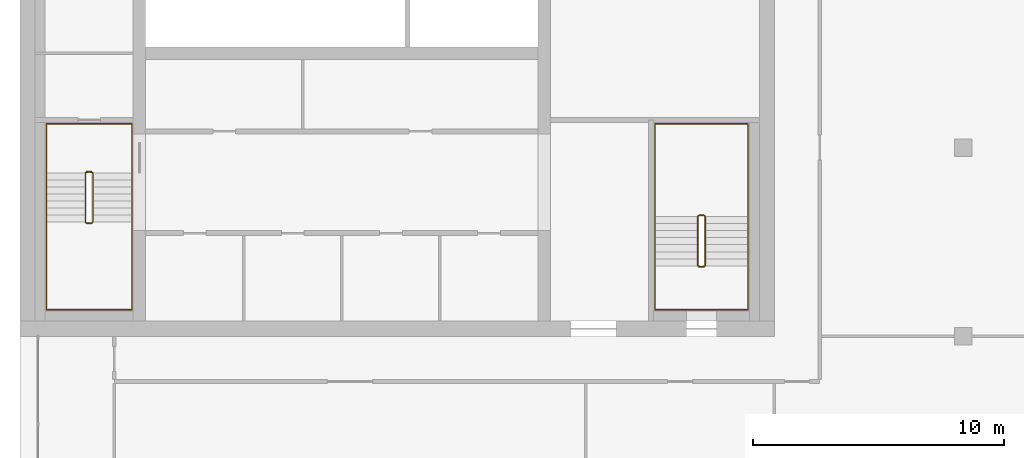
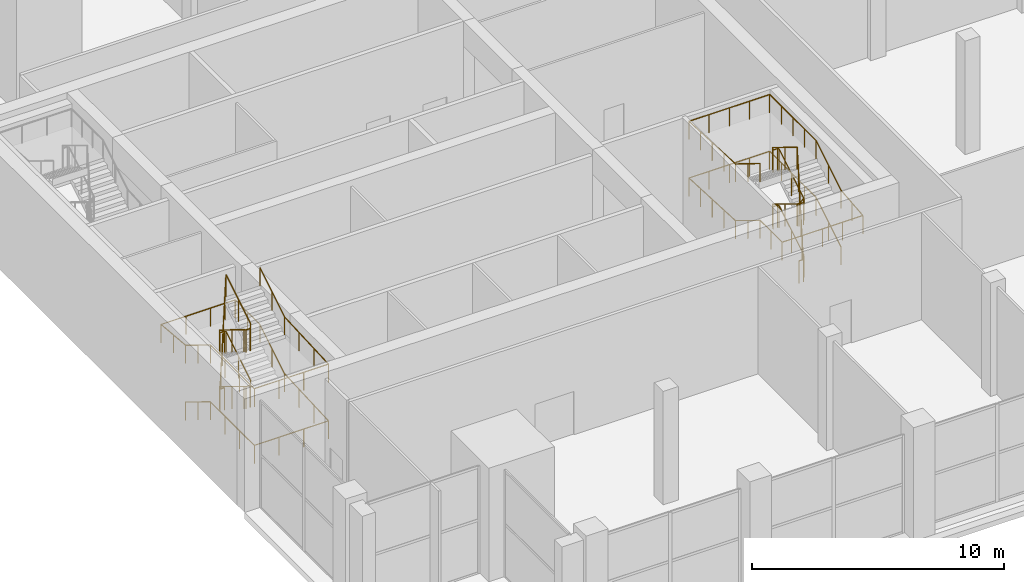
# One storey, part 14 of 15: 4 railings.
"""IFC4 building model written with IfcOpenShell, lengths in metres."""

from ifc_helpers import new_model, si_unit, direction, frame, origin, origin_2d, place, context, subcontext, project, spatial, circle, extrude, material, type_object, element, save


model = new_model("IFC4")

# Units and contexts
model_context = context("Model", 3, precision=1e-05, world=origin(), true_north=direction((0.0, 1.0)))
body_context = subcontext(model_context, "Body", "Model", "MODEL_VIEW")
ifc_project = project(units=[si_unit("LENGTHUNIT", "METRE"), si_unit("AREAUNIT", "SQUARE_METRE"), si_unit("VOLUMEUNIT", "CUBIC_METRE"), si_unit("PLANEANGLEUNIT", "RADIAN"), si_unit("MASSUNIT", "GRAM", prefix="KILO")], contexts=[model_context])

# Site, building, storey
site_placement = place(None, origin())
site = spatial("IfcSite", under=ifc_project, at=site_placement, CompositionType="ELEMENT")
building_placement = place(site_placement, origin())
building = spatial("IfcBuilding", under=site, at=building_placement, Name="Tamorin Gate", CompositionType="ELEMENT")
storey_placement = place(building_placement, frame((0.0, 0.0, 292.199951171875)))
storey = spatial("IfcBuildingStorey", under=building, at=storey_placement, Name="L73", CompositionType="ELEMENT", Elevation=292.199951171875)

# Railings
ifc_material_1 = material(Name="Painted steel balustrade", Category="steel")
railing_type_1 = type_object("IfcRailingType", Name="Stair guard 1100", PredefinedType="GUARDRAIL", material=ifc_material_1)
railing_1_placement = place(storey_placement, frame((32.60009765625, 66.5, 0.171875)))
element("IfcRailing", 1, at=railing_1_placement, inside=storey, type_object=railing_type_1, Name="L73 ST1 stair guard 1", PredefinedType="GUARDRAIL", context=body_context, shape_type="SweptSolid", body=[
    extrude(circle(Radius=0.02392578125, at=origin_2d()), frame((0.0, 0.0, 1.076171875), z_axis=(0.0, -0.852240978134, 0.523149419562), x_axis=(1.0, 0.0, 0.0)), (0.0, 0.0, 1.0), 2.2998046875),
    extrude(circle(Radius=0.02392578125, at=origin_2d()), frame((0.0, -1.9599609375, 2.279296875), z_axis=(0.705375805398, -0.708833529934, 0.0), x_axis=(0.708833529934, 0.705375805398, 0.0)), (0.0, 0.0, 1.0), 0.070556640625),
    extrude(circle(Radius=0.02392578125, at=origin_2d()), frame((0.0498046875, -2.010009765625, 2.279296875), z_axis=(1.0, 0.0, 0.0), x_axis=(0.0, 1.0, 0.0)), (0.0, 0.0, 1.0), 0.2001953125),
    extrude(circle(Radius=0.02392578125, at=origin_2d()), frame((0.25, -2.010009765625, 2.279296875), z_axis=(0.268036860282, 0.26935076646, 0.924989949209), x_axis=(-0.708833529934, 0.705375805398, 0.0)), (0.0, 0.0, 1.0), 0.185791015625),
    extrude(circle(Radius=0.02392578125, at=origin_2d()), frame((0.2998046875, -1.9599609375, 2.451171875), z_axis=(0.0, 0.852240978134, 0.523149419562), x_axis=(-1.0, 0.0, 0.0)), (0.0, 0.0, 1.0), 2.2998046875),
    extrude(circle(Radius=0.02392578125, at=origin_2d()), frame((0.2998046875, 0.0, 3.654296875), z_axis=(-0.98054382908, 0.196300278283, 0.0), x_axis=(-0.196300278283, -0.98054382908, 0.0)), (0.0, 0.0, 1.0), 0.2548828125),
    extrude(circle(Radius=0.02392578125, at=origin_2d()), frame((0.0498046875, 0.050048828125, 3.654296875), z_axis=(1.0, 0.0, 0.0), x_axis=(0.0, 1.0, 0.0)), (0.0, 0.0, 1.0), 0.2001953125),
    extrude(circle(Radius=0.02392578125, at=origin_2d()), frame((0.25, 0.050048828125, 3.654296875), z_axis=(-0.81305262559, -0.162769324459, 0.558973680093), x_axis=(0.196300278283, -0.98054382908, 0.0)), (0.0, 0.0, 1.0), 0.307373046875),
    extrude(circle(Radius=0.02392578125, at=origin_2d()), frame((0.0, 0.0, 3.826171875), z_axis=(0.0, -0.852240978134, 0.523149419562), x_axis=(1.0, 0.0, 0.0)), (0.0, 0.0, 1.0), 2.2998046875),
    extrude(circle(Radius=0.02392578125, at=origin_2d()), frame((0.0, -1.9599609375, 5.029296875), z_axis=(0.705375805398, -0.708833529934, 0.0), x_axis=(0.708833529934, 0.705375805398, 0.0)), (0.0, 0.0, 1.0), 0.070556640625),
    extrude(circle(Radius=0.02392578125, at=origin_2d()), frame((0.0498046875, -2.010009765625, 5.029296875), z_axis=(1.0, 0.0, 0.0), x_axis=(0.0, 1.0, 0.0)), (0.0, 0.0, 1.0), 0.2001953125),
    extrude(circle(Radius=0.02392578125, at=origin_2d()), frame((0.25, -2.010009765625, 5.029296875), z_axis=(0.268036860282, 0.26935076646, 0.924989949209), x_axis=(-0.708833529934, 0.705375805398, 0.0)), (0.0, 0.0, 1.0), 0.185791015625),
    extrude(circle(Radius=0.02392578125, at=origin_2d()), frame((0.2998046875, -1.9599609375, 5.201171875), z_axis=(0.0, 0.852240978134, 0.523149419562), x_axis=(-1.0, 0.0, 0.0)), (0.0, 0.0, 1.0), 2.2998046875),
    extrude(circle(Radius=0.02392578125, at=origin_2d()), frame((0.2998046875, 0.0, 6.404296875), z_axis=(-0.045405784895, 0.009090025296, -0.998927267692), x_axis=(-0.196300278283, -0.98054382908, 0.0)), (0.0, 0.0, 1.0), 5.505859375),
    extrude(circle(Radius=0.02392578125, at=origin_2d()), frame((0.0498046875, 0.050048828125, 0.904296875), z_axis=(1.0, 0.0, 0.0), x_axis=(0.0, 1.0, 0.0)), (0.0, 0.0, 1.0), 0.2001953125),
    extrude(circle(Radius=0.02099609375, at=origin_2d()), origin(), (0.0, 0.0, 1.0), 1.052001953125),
    extrude(circle(Radius=0.02099609375, at=origin_2d()), frame((0.0, -0.97998046875, 0.6015625)), (0.0, 0.0, 1.0), 1.052001953125),
    extrude(circle(Radius=0.02099609375, at=origin_2d()), frame((0.0, -1.9599609375, 1.203125)), (0.0, 0.0, 1.0), 1.052001953125),
    extrude(circle(Radius=0.02099609375, at=origin_2d()), frame((0.0498046875, -2.010009765625, 1.203125)), (0.0, 0.0, 1.0), 1.052001953125),
    extrude(circle(Radius=0.02099609375, at=origin_2d()), frame((0.25, -2.010009765625, 1.203125)), (0.0, 0.0, 1.0), 1.052001953125),
    extrude(circle(Radius=0.02099609375, at=origin_2d()), frame((0.2998046875, -1.9599609375, 1.375)), (0.0, 0.0, 1.0), 1.052001953125),
    extrude(circle(Radius=0.02099609375, at=origin_2d()), frame((0.2998046875, -0.97998046875, 1.9765625)), (0.0, 0.0, 1.0), 1.052001953125),
    extrude(circle(Radius=0.02099609375, at=origin_2d()), frame((0.2998046875, 0.0, 2.578125)), (0.0, 0.0, 1.0), 1.052001953125),
    extrude(circle(Radius=0.02099609375, at=origin_2d()), frame((0.0498046875, 0.050048828125, 2.578125)), (0.0, 0.0, 1.0), 1.052001953125),
    extrude(circle(Radius=0.02099609375, at=origin_2d()), frame((0.25, 0.050048828125, 2.578125)), (0.0, 0.0, 1.0), 1.052001953125),
    extrude(circle(Radius=0.02099609375, at=origin_2d()), frame((0.0, 0.0, 2.75)), (0.0, 0.0, 1.0), 1.052001953125),
    extrude(circle(Radius=0.02099609375, at=origin_2d()), frame((0.0, -0.97998046875, 3.3515625)), (0.0, 0.0, 1.0), 1.052001953125),
    extrude(circle(Radius=0.02099609375, at=origin_2d()), frame((0.0, -1.9599609375, 3.953125)), (0.0, 0.0, 1.0), 1.052001953125),
    extrude(circle(Radius=0.02099609375, at=origin_2d()), frame((0.0498046875, -2.010009765625, 3.953125)), (0.0, 0.0, 1.0), 1.052001953125),
    extrude(circle(Radius=0.02099609375, at=origin_2d()), frame((0.25, -2.010009765625, 3.953125)), (0.0, 0.0, 1.0), 1.052001953125),
    extrude(circle(Radius=0.02099609375, at=origin_2d()), frame((0.2998046875, -1.9599609375, 4.125)), (0.0, 0.0, 1.0), 1.052001953125),
    extrude(circle(Radius=0.02099609375, at=origin_2d()), frame((0.2998046875, -0.97998046875, 4.7265625)), (0.0, 0.0, 1.0), 1.052001953125),
    extrude(circle(Radius=0.02099609375, at=origin_2d()), frame((0.2998046875, 0.0, 5.328125)), (0.0, 0.0, 1.0), 1.052001953125),
    extrude(circle(Radius=0.02099609375, at=origin_2d()), frame((0.249755859375, 0.010009765625, 4.22802734375)), (0.0, 0.0, 1.0), 1.052001953125),
    extrude(circle(Radius=0.02099609375, at=origin_2d()), frame((0.19970703125, 0.02001953125, 3.128173828125)), (0.0, 0.0, 1.0), 1.052001953125),
    extrude(circle(Radius=0.02099609375, at=origin_2d()), frame((0.14990234375, 0.030029296875, 2.028076171875)), (0.0, 0.0, 1.0), 1.052001953125),
    extrude(circle(Radius=0.02099609375, at=origin_2d()), frame((0.099853515625, 0.0400390625, 0.92822265625)), (0.0, 0.0, 1.0), 1.052001953125),
    extrude(circle(Radius=0.02099609375, at=origin_2d()), frame((0.0498046875, 0.050048828125, -0.171875)), (0.0, 0.0, 1.0), 1.052001953125),
    extrude(circle(Radius=0.02099609375, at=origin_2d()), frame((0.25, 0.050048828125, -0.171875)), (0.0, 0.0, 1.0), 1.052001953125),
])
railing_2_placement = place(storey_placement, frame((57.25, 62.800048828125, 0.171875)))
element("IfcRailing", 2, at=railing_2_placement, inside=storey, type_object=railing_type_1, Name="L73 ST3 stair guard 1", PredefinedType="GUARDRAIL", context=body_context, shape_type="SweptSolid", body=[
    extrude(circle(Radius=0.02392578125, at=origin_2d()), frame((0.0, 0.0, 1.076171875), z_axis=(0.0, 0.852240978134, 0.523149419562), x_axis=(-1.0, 0.0, 0.0)), (0.0, 0.0, 1.0), 2.2998046875),
    extrude(circle(Radius=0.02392578125, at=origin_2d()), frame((0.0, 1.9599609375, 2.279296875), z_axis=(-0.707106781187, 0.707106781187, 0.0), x_axis=(-0.707106781187, -0.707106781187, 0.0)), (0.0, 0.0, 1.0), 0.07080078125),
    extrude(circle(Radius=0.02392578125, at=origin_2d()), frame((-0.050048828125, 2.010009765625, 2.279296875), z_axis=(-1.0, 0.0, 0.0), x_axis=(0.0, -1.0, 0.0)), (0.0, 0.0, 1.0), 0.199951171875),
    extrude(circle(Radius=0.02392578125, at=origin_2d()), frame((-0.25, 2.010009765625, 2.279296875), z_axis=(-0.269255725606, -0.269255725606, 0.92466356501), x_axis=(0.707106781187, -0.707106781187, 0.0)), (0.0, 0.0, 1.0), 0.185791015625),
    extrude(circle(Radius=0.02392578125, at=origin_2d()), frame((-0.300048828125, 1.9599609375, 2.451171875), z_axis=(0.0, -0.852240978134, 0.523149419562), x_axis=(1.0, 0.0, 0.0)), (0.0, 0.0, 1.0), 2.2998046875),
    extrude(circle(Radius=0.02392578125, at=origin_2d()), frame((-0.300048828125, 0.0, 3.654296875), z_axis=(0.98054382908, -0.196300278283, 0.0), x_axis=(0.196300278283, 0.98054382908, 0.0)), (0.0, 0.0, 1.0), 0.2548828125),
    extrude(circle(Radius=0.02392578125, at=origin_2d()), frame((-0.050048828125, -0.050048828125, 3.654296875), z_axis=(-1.0, 0.0, 0.0), x_axis=(0.0, -1.0, 0.0)), (0.0, 0.0, 1.0), 0.199951171875),
    extrude(circle(Radius=0.02392578125, at=origin_2d()), frame((-0.25, -0.050048828125, 3.654296875), z_axis=(0.81305262559, 0.162769324459, 0.558973680093), x_axis=(-0.196300278283, 0.98054382908, 0.0)), (0.0, 0.0, 1.0), 0.307373046875),
    extrude(circle(Radius=0.02392578125, at=origin_2d()), frame((0.0, 0.0, 3.826171875), z_axis=(0.0, 0.852240978134, 0.523149419562), x_axis=(-1.0, 0.0, 0.0)), (0.0, 0.0, 1.0), 2.2998046875),
    extrude(circle(Radius=0.02392578125, at=origin_2d()), frame((0.0, 1.9599609375, 5.029296875), z_axis=(-0.707106781187, 0.707106781187, 0.0), x_axis=(-0.707106781187, -0.707106781187, 0.0)), (0.0, 0.0, 1.0), 0.07080078125),
    extrude(circle(Radius=0.02392578125, at=origin_2d()), frame((-0.050048828125, 2.010009765625, 5.029296875), z_axis=(-1.0, 0.0, 0.0), x_axis=(0.0, -1.0, 0.0)), (0.0, 0.0, 1.0), 0.199951171875),
    extrude(circle(Radius=0.02392578125, at=origin_2d()), frame((-0.25, 2.010009765625, 5.029296875), z_axis=(-0.269255725606, -0.269255725606, 0.92466356501), x_axis=(0.707106781187, -0.707106781187, 0.0)), (0.0, 0.0, 1.0), 0.185791015625),
    extrude(circle(Radius=0.02392578125, at=origin_2d()), frame((-0.300048828125, 1.9599609375, 5.201171875), z_axis=(0.0, -0.852240978134, 0.523149419562), x_axis=(1.0, 0.0, 0.0)), (0.0, 0.0, 1.0), 2.2998046875),
    extrude(circle(Radius=0.02392578125, at=origin_2d()), frame((-0.300048828125, 0.0, 6.404296875), z_axis=(0.045405784895, -0.009090025296, -0.998927267692), x_axis=(0.196300278283, 0.98054382908, 0.0)), (0.0, 0.0, 1.0), 5.505859375),
    extrude(circle(Radius=0.02392578125, at=origin_2d()), frame((-0.050048828125, -0.050048828125, 0.904296875), z_axis=(-1.0, 0.0, 0.0), x_axis=(0.0, -1.0, 0.0)), (0.0, 0.0, 1.0), 0.199951171875),
    extrude(circle(Radius=0.02099609375, at=origin_2d()), origin(), (0.0, 0.0, 1.0), 1.052001953125),
    extrude(circle(Radius=0.02099609375, at=origin_2d()), frame((0.0, 0.97998046875, 0.6015625)), (0.0, 0.0, 1.0), 1.052001953125),
    extrude(circle(Radius=0.02099609375, at=origin_2d()), frame((0.0, 1.9599609375, 1.203125)), (0.0, 0.0, 1.0), 1.052001953125),
    extrude(circle(Radius=0.02099609375, at=origin_2d()), frame((-0.050048828125, 2.010009765625, 1.203125)), (0.0, 0.0, 1.0), 1.052001953125),
    extrude(circle(Radius=0.02099609375, at=origin_2d()), frame((-0.25, 2.010009765625, 1.203125)), (0.0, 0.0, 1.0), 1.052001953125),
    extrude(circle(Radius=0.02099609375, at=origin_2d()), frame((-0.300048828125, 1.9599609375, 1.375)), (0.0, 0.0, 1.0), 1.052001953125),
    extrude(circle(Radius=0.02099609375, at=origin_2d()), frame((-0.300048828125, 0.97998046875, 1.9765625)), (0.0, 0.0, 1.0), 1.052001953125),
    extrude(circle(Radius=0.02099609375, at=origin_2d()), frame((-0.300048828125, 0.0, 2.578125)), (0.0, 0.0, 1.0), 1.052001953125),
    extrude(circle(Radius=0.02099609375, at=origin_2d()), frame((-0.050048828125, -0.050048828125, 2.578125)), (0.0, 0.0, 1.0), 1.052001953125),
    extrude(circle(Radius=0.02099609375, at=origin_2d()), frame((-0.25, -0.050048828125, 2.578125)), (0.0, 0.0, 1.0), 1.052001953125),
    extrude(circle(Radius=0.02099609375, at=origin_2d()), frame((0.0, 0.0, 2.75)), (0.0, 0.0, 1.0), 1.052001953125),
    extrude(circle(Radius=0.02099609375, at=origin_2d()), frame((0.0, 0.97998046875, 3.3515625)), (0.0, 0.0, 1.0), 1.052001953125),
    extrude(circle(Radius=0.02099609375, at=origin_2d()), frame((0.0, 1.9599609375, 3.953125)), (0.0, 0.0, 1.0), 1.052001953125),
    extrude(circle(Radius=0.02099609375, at=origin_2d()), frame((-0.050048828125, 2.010009765625, 3.953125)), (0.0, 0.0, 1.0), 1.052001953125),
    extrude(circle(Radius=0.02099609375, at=origin_2d()), frame((-0.25, 2.010009765625, 3.953125)), (0.0, 0.0, 1.0), 1.052001953125),
    extrude(circle(Radius=0.02099609375, at=origin_2d()), frame((-0.300048828125, 1.9599609375, 4.125)), (0.0, 0.0, 1.0), 1.052001953125),
    extrude(circle(Radius=0.02099609375, at=origin_2d()), frame((-0.300048828125, 0.97998046875, 4.7265625)), (0.0, 0.0, 1.0), 1.052001953125),
    extrude(circle(Radius=0.02099609375, at=origin_2d()), frame((-0.300048828125, 0.0, 5.328125)), (0.0, 0.0, 1.0), 1.052001953125),
    extrude(circle(Radius=0.02099609375, at=origin_2d()), frame((-0.25, -0.010009765625, 4.22802734375)), (0.0, 0.0, 1.0), 1.052001953125),
    extrude(circle(Radius=0.02099609375, at=origin_2d()), frame((-0.199951171875, -0.02001953125, 3.128173828125)), (0.0, 0.0, 1.0), 1.052001953125),
    extrude(circle(Radius=0.02099609375, at=origin_2d()), frame((-0.150146484375, -0.030029296875, 2.028076171875)), (0.0, 0.0, 1.0), 1.052001953125),
    extrude(circle(Radius=0.02099609375, at=origin_2d()), frame((-0.10009765625, -0.0400390625, 0.92822265625)), (0.0, 0.0, 1.0), 1.052001953125),
    extrude(circle(Radius=0.02099609375, at=origin_2d()), frame((-0.050048828125, -0.050048828125, -0.171875)), (0.0, 0.0, 1.0), 1.052001953125),
    extrude(circle(Radius=0.02099609375, at=origin_2d()), frame((-0.25, -0.050048828125, -0.171875)), (0.0, 0.0, 1.0), 1.052001953125),
])
ifc_material_2 = material(Name="Painted steel handrail", Category="steel")
railing_type_2 = type_object("IfcRailingType", Name="Stair handrail 900", PredefinedType="HANDRAIL", material=ifc_material_2)
railing_3_placement = place(storey_placement, frame((31.050048828125, 66.5, 0.171875)))
element("IfcRailing", 3, at=railing_3_placement, inside=storey, type_object=railing_type_2, Name="L73 ST1 stair handrail 1", PredefinedType="HANDRAIL", context=body_context, shape_type="SweptSolid", body=[
    extrude(circle(Radius=0.02392578125, at=origin_2d()), frame((0.0, 0.0, 0.8759765625), z_axis=(0.0, -0.852240978134, 0.523149419562), x_axis=(1.0, 0.0, 0.0)), (0.0, 0.0, 1.0), 2.2998046875),
    extrude(circle(Radius=0.02392578125, at=origin_2d()), frame((0.0, -1.9599609375, 2.0791015625), z_axis=(0.0, -1.0, 0.0), x_axis=(1.0, 0.0, 0.0)), (0.0, 0.0, 1.0), 3.489990234375),
    extrude(circle(Radius=0.02392578125, at=origin_2d()), frame((0.0, -5.449951171875, 2.0791015625), z_axis=(1.0, 0.0, 0.0), x_axis=(0.0, 1.0, 0.0)), (0.0, 0.0, 1.0), 3.39990234375),
    extrude(circle(Radius=0.02392578125, at=origin_2d()), frame((3.39990234375, -5.449951171875, 2.0791015625), z_axis=(0.0, 0.998789519247, 0.049188375065), x_axis=(-1.0, 0.0, 0.0)), (0.0, 0.0, 1.0), 3.494140625),
    extrude(circle(Radius=0.02392578125, at=origin_2d()), frame((3.39990234375, -1.9599609375, 2.2509765625), z_axis=(0.0, 0.852240978134, 0.523149419562), x_axis=(-1.0, 0.0, 0.0)), (0.0, 0.0, 1.0), 2.2998046875),
    extrude(circle(Radius=0.02392578125, at=origin_2d()), frame((3.39990234375, 0.0, 3.4541015625), z_axis=(0.0, 1.0, 0.0), x_axis=(-1.0, 0.0, 0.0)), (0.0, 0.0, 1.0), 1.949951171875),
    extrude(circle(Radius=0.02392578125, at=origin_2d()), frame((3.39990234375, 1.949951171875, 3.4541015625), z_axis=(-1.0, 0.0, 0.0), x_axis=(0.0, -1.0, 0.0)), (0.0, 0.0, 1.0), 3.39990234375),
    extrude(circle(Radius=0.02392578125, at=origin_2d()), frame((0.0, 1.949951171875, 3.4541015625), z_axis=(0.0, -0.996137875047, 0.087802812575), x_axis=(1.0, 0.0, 0.0)), (0.0, 0.0, 1.0), 1.95751953125),
    extrude(circle(Radius=0.02392578125, at=origin_2d()), frame((0.0, 0.0, 3.6259765625), z_axis=(0.0, -0.852240978134, 0.523149419562), x_axis=(1.0, 0.0, 0.0)), (0.0, 0.0, 1.0), 2.2998046875),
    extrude(circle(Radius=0.02392578125, at=origin_2d()), frame((0.0, -1.9599609375, 4.8291015625), z_axis=(0.0, -1.0, 0.0), x_axis=(1.0, 0.0, 0.0)), (0.0, 0.0, 1.0), 3.489990234375),
    extrude(circle(Radius=0.02392578125, at=origin_2d()), frame((0.0, -5.449951171875, 4.8291015625), z_axis=(1.0, 0.0, 0.0), x_axis=(0.0, 1.0, 0.0)), (0.0, 0.0, 1.0), 3.39990234375),
    extrude(circle(Radius=0.02392578125, at=origin_2d()), frame((3.39990234375, -5.449951171875, 4.8291015625), z_axis=(0.0, 0.998789519247, 0.049188375065), x_axis=(-1.0, 0.0, 0.0)), (0.0, 0.0, 1.0), 3.494140625),
    extrude(circle(Radius=0.02392578125, at=origin_2d()), frame((3.39990234375, -1.9599609375, 5.0009765625), z_axis=(0.0, 0.852240978134, 0.523149419562), x_axis=(-1.0, 0.0, 0.0)), (0.0, 0.0, 1.0), 2.2998046875),
    extrude(circle(Radius=0.02099609375, at=origin_2d()), origin(), (0.0, 0.0, 1.0), 0.851806640625),
    extrude(circle(Radius=0.02099609375, at=origin_2d()), frame((0.0, -0.97998046875, 0.6015625)), (0.0, 0.0, 1.0), 0.851806640625),
    extrude(circle(Radius=0.02099609375, at=origin_2d()), frame((0.0, -1.9599609375, 1.203125)), (0.0, 0.0, 1.0), 0.851806640625),
    extrude(circle(Radius=0.02099609375, at=origin_2d()), frame((0.0, -3.123291015625, 1.203125)), (0.0, 0.0, 1.0), 0.851806640625),
    extrude(circle(Radius=0.02099609375, at=origin_2d()), frame((0.0, -4.28662109375, 1.203125)), (0.0, 0.0, 1.0), 0.851806640625),
    extrude(circle(Radius=0.02099609375, at=origin_2d()), frame((0.0, -5.449951171875, 1.203125)), (0.0, 0.0, 1.0), 0.851806640625),
    extrude(circle(Radius=0.02099609375, at=origin_2d()), frame((1.13330078125, -5.449951171875, 1.203125)), (0.0, 0.0, 1.0), 0.851806640625),
    extrude(circle(Radius=0.02099609375, at=origin_2d()), frame((2.2666015625, -5.449951171875, 1.203125)), (0.0, 0.0, 1.0), 0.851806640625),
    extrude(circle(Radius=0.02099609375, at=origin_2d()), frame((3.39990234375, -5.449951171875, 1.203125)), (0.0, 0.0, 1.0), 0.851806640625),
    extrude(circle(Radius=0.02099609375, at=origin_2d()), frame((3.39990234375, -4.28662109375, 1.260498046875)), (0.0, 0.0, 1.0), 0.851806640625),
    extrude(circle(Radius=0.02099609375, at=origin_2d()), frame((3.39990234375, -3.123291015625, 1.317626953125)), (0.0, 0.0, 1.0), 0.851806640625),
    extrude(circle(Radius=0.02099609375, at=origin_2d()), frame((3.39990234375, -1.9599609375, 1.375)), (0.0, 0.0, 1.0), 0.851806640625),
    extrude(circle(Radius=0.02099609375, at=origin_2d()), frame((3.39990234375, -0.97998046875, 1.9765625)), (0.0, 0.0, 1.0), 0.851806640625),
    extrude(circle(Radius=0.02099609375, at=origin_2d()), frame((3.39990234375, 0.0, 2.578125)), (0.0, 0.0, 1.0), 0.851806640625),
    extrude(circle(Radius=0.02099609375, at=origin_2d()), frame((3.39990234375, 0.97509765625, 2.578125)), (0.0, 0.0, 1.0), 0.851806640625),
    extrude(circle(Radius=0.02099609375, at=origin_2d()), frame((3.39990234375, 1.949951171875, 2.578125)), (0.0, 0.0, 1.0), 0.851806640625),
    extrude(circle(Radius=0.02099609375, at=origin_2d()), frame((2.2666015625, 1.949951171875, 2.578125)), (0.0, 0.0, 1.0), 0.851806640625),
    extrude(circle(Radius=0.02099609375, at=origin_2d()), frame((1.13330078125, 1.949951171875, 2.578125)), (0.0, 0.0, 1.0), 0.851806640625),
    extrude(circle(Radius=0.02099609375, at=origin_2d()), frame((0.0, 1.949951171875, 2.578125)), (0.0, 0.0, 1.0), 0.851806640625),
    extrude(circle(Radius=0.02099609375, at=origin_2d()), frame((0.0, 0.97509765625, 2.6640625)), (0.0, 0.0, 1.0), 0.851806640625),
    extrude(circle(Radius=0.02099609375, at=origin_2d()), frame((0.0, 0.0, 2.75)), (0.0, 0.0, 1.0), 0.851806640625),
    extrude(circle(Radius=0.02099609375, at=origin_2d()), frame((0.0, -0.97998046875, 3.3515625)), (0.0, 0.0, 1.0), 0.851806640625),
    extrude(circle(Radius=0.02099609375, at=origin_2d()), frame((0.0, -1.9599609375, 3.953125)), (0.0, 0.0, 1.0), 0.851806640625),
    extrude(circle(Radius=0.02099609375, at=origin_2d()), frame((0.0, -3.123291015625, 3.953125)), (0.0, 0.0, 1.0), 0.851806640625),
    extrude(circle(Radius=0.02099609375, at=origin_2d()), frame((0.0, -4.28662109375, 3.953125)), (0.0, 0.0, 1.0), 0.851806640625),
    extrude(circle(Radius=0.02099609375, at=origin_2d()), frame((0.0, -5.449951171875, 3.953125)), (0.0, 0.0, 1.0), 0.851806640625),
    extrude(circle(Radius=0.02099609375, at=origin_2d()), frame((1.13330078125, -5.449951171875, 3.953125)), (0.0, 0.0, 1.0), 0.851806640625),
    extrude(circle(Radius=0.02099609375, at=origin_2d()), frame((2.2666015625, -5.449951171875, 3.953125)), (0.0, 0.0, 1.0), 0.851806640625),
    extrude(circle(Radius=0.02099609375, at=origin_2d()), frame((3.39990234375, -5.449951171875, 3.953125)), (0.0, 0.0, 1.0), 0.851806640625),
    extrude(circle(Radius=0.02099609375, at=origin_2d()), frame((3.39990234375, -4.28662109375, 4.010498046875)), (0.0, 0.0, 1.0), 0.851806640625),
    extrude(circle(Radius=0.02099609375, at=origin_2d()), frame((3.39990234375, -3.123291015625, 4.067626953125)), (0.0, 0.0, 1.0), 0.851806640625),
    extrude(circle(Radius=0.02099609375, at=origin_2d()), frame((3.39990234375, -1.9599609375, 4.125)), (0.0, 0.0, 1.0), 0.851806640625),
    extrude(circle(Radius=0.02099609375, at=origin_2d()), frame((3.39990234375, -0.97998046875, 4.7265625)), (0.0, 0.0, 1.0), 0.851806640625),
    extrude(circle(Radius=0.02099609375, at=origin_2d()), frame((3.39990234375, 0.0, 5.328125)), (0.0, 0.0, 1.0), 0.851806640625),
])
railing_4_placement = place(storey_placement, frame((58.949951171875, 62.800048828125, 0.171875)))
element("IfcRailing", 4, at=railing_4_placement, inside=storey, type_object=railing_type_2, Name="L73 ST3 stair handrail 1", PredefinedType="HANDRAIL", context=body_context, shape_type="SweptSolid", body=[
    extrude(circle(Radius=0.02392578125, at=origin_2d()), frame((0.0, 0.0, 0.8759765625), z_axis=(0.0, 0.852240978134, 0.523149419562), x_axis=(-1.0, 0.0, 0.0)), (0.0, 0.0, 1.0), 2.2998046875),
    extrude(circle(Radius=0.02392578125, at=origin_2d()), frame((0.0, 1.9599609375, 2.0791015625), z_axis=(0.0, 1.0, 0.0), x_axis=(-1.0, 0.0, 0.0)), (0.0, 0.0, 1.0), 3.68994140625),
    extrude(circle(Radius=0.02392578125, at=origin_2d()), frame((0.0, 5.64990234375, 2.0791015625), z_axis=(-1.0, 0.0, 0.0), x_axis=(0.0, -1.0, 0.0)), (0.0, 0.0, 1.0), 3.699951171875),
    extrude(circle(Radius=0.02392578125, at=origin_2d()), frame((-3.699951171875, 5.64990234375, 2.0791015625), z_axis=(0.0, -0.998916945045, 0.046528882448), x_axis=(1.0, 0.0, 0.0)), (0.0, 0.0, 1.0), 3.69384765625),
    extrude(circle(Radius=0.02392578125, at=origin_2d()), frame((-3.699951171875, 1.9599609375, 2.2509765625), z_axis=(0.0, -0.852240978134, 0.523149419562), x_axis=(1.0, 0.0, 0.0)), (0.0, 0.0, 1.0), 2.2998046875),
    extrude(circle(Radius=0.02392578125, at=origin_2d()), frame((-3.699951171875, 0.0, 3.4541015625), z_axis=(0.0, -1.0, 0.0), x_axis=(1.0, 0.0, 0.0)), (0.0, 0.0, 1.0), 1.75),
    extrude(circle(Radius=0.02392578125, at=origin_2d()), frame((-3.699951171875, -1.75, 3.4541015625), z_axis=(1.0, 0.0, 0.0), x_axis=(0.0, 1.0, 0.0)), (0.0, 0.0, 1.0), 3.699951171875),
    extrude(circle(Radius=0.02392578125, at=origin_2d()), frame((0.0, -1.75, 3.4541015625), z_axis=(0.0, 0.995211591236, 0.097743995568), x_axis=(-1.0, 0.0, 0.0)), (0.0, 0.0, 1.0), 1.75830078125),
    extrude(circle(Radius=0.02392578125, at=origin_2d()), frame((0.0, 0.0, 3.6259765625), z_axis=(0.0, 0.852240978134, 0.523149419562), x_axis=(-1.0, 0.0, 0.0)), (0.0, 0.0, 1.0), 2.2998046875),
    extrude(circle(Radius=0.02392578125, at=origin_2d()), frame((0.0, 1.9599609375, 4.8291015625), z_axis=(0.0, 1.0, 0.0), x_axis=(-1.0, 0.0, 0.0)), (0.0, 0.0, 1.0), 3.68994140625),
    extrude(circle(Radius=0.02392578125, at=origin_2d()), frame((0.0, 5.64990234375, 4.8291015625), z_axis=(-1.0, 0.0, 0.0), x_axis=(0.0, -1.0, 0.0)), (0.0, 0.0, 1.0), 3.699951171875),
    extrude(circle(Radius=0.02392578125, at=origin_2d()), frame((-3.699951171875, 5.64990234375, 4.8291015625), z_axis=(0.0, -0.998916945045, 0.046528882448), x_axis=(1.0, 0.0, 0.0)), (0.0, 0.0, 1.0), 3.69384765625),
    extrude(circle(Radius=0.02392578125, at=origin_2d()), frame((-3.699951171875, 1.9599609375, 5.0009765625), z_axis=(0.0, -0.852240978134, 0.523149419562), x_axis=(1.0, 0.0, 0.0)), (0.0, 0.0, 1.0), 2.2998046875),
    extrude(circle(Radius=0.02099609375, at=origin_2d()), origin(), (0.0, 0.0, 1.0), 0.851806640625),
    extrude(circle(Radius=0.02099609375, at=origin_2d()), frame((0.0, 0.97998046875, 0.6015625)), (0.0, 0.0, 1.0), 0.851806640625),
    extrude(circle(Radius=0.02099609375, at=origin_2d()), frame((0.0, 1.9599609375, 1.203125)), (0.0, 0.0, 1.0), 0.851806640625),
    extrude(circle(Radius=0.02099609375, at=origin_2d()), frame((0.0, 2.88232421875, 1.203125)), (0.0, 0.0, 1.0), 0.851806640625),
    extrude(circle(Radius=0.02099609375, at=origin_2d()), frame((0.0, 3.804931640625, 1.203125)), (0.0, 0.0, 1.0), 0.851806640625),
    extrude(circle(Radius=0.02099609375, at=origin_2d()), frame((0.0, 4.7275390625, 1.203125)), (0.0, 0.0, 1.0), 0.851806640625),
    extrude(circle(Radius=0.02099609375, at=origin_2d()), frame((0.0, 5.64990234375, 1.203125)), (0.0, 0.0, 1.0), 0.851806640625),
    extrude(circle(Radius=0.02099609375, at=origin_2d()), frame((-0.925048828125, 5.64990234375, 1.203125)), (0.0, 0.0, 1.0), 0.851806640625),
    extrude(circle(Radius=0.02099609375, at=origin_2d()), frame((-1.85009765625, 5.64990234375, 1.203125)), (0.0, 0.0, 1.0), 0.851806640625),
    extrude(circle(Radius=0.02099609375, at=origin_2d()), frame((-2.77490234375, 5.64990234375, 1.203125)), (0.0, 0.0, 1.0), 0.851806640625),
    extrude(circle(Radius=0.02099609375, at=origin_2d()), frame((-3.699951171875, 5.64990234375, 1.203125)), (0.0, 0.0, 1.0), 0.851806640625),
    extrude(circle(Radius=0.02099609375, at=origin_2d()), frame((-3.699951171875, 4.7275390625, 1.24609375)), (0.0, 0.0, 1.0), 0.851806640625),
    extrude(circle(Radius=0.02099609375, at=origin_2d()), frame((-3.699951171875, 3.804931640625, 1.2890625)), (0.0, 0.0, 1.0), 0.851806640625),
    extrude(circle(Radius=0.02099609375, at=origin_2d()), frame((-3.699951171875, 2.88232421875, 1.33203125)), (0.0, 0.0, 1.0), 0.851806640625),
    extrude(circle(Radius=0.02099609375, at=origin_2d()), frame((-3.699951171875, 1.9599609375, 1.375)), (0.0, 0.0, 1.0), 0.851806640625),
    extrude(circle(Radius=0.02099609375, at=origin_2d()), frame((-3.699951171875, 0.97998046875, 1.9765625)), (0.0, 0.0, 1.0), 0.851806640625),
    extrude(circle(Radius=0.02099609375, at=origin_2d()), frame((-3.699951171875, 0.0, 2.578125)), (0.0, 0.0, 1.0), 0.851806640625),
    extrude(circle(Radius=0.02099609375, at=origin_2d()), frame((-3.699951171875, -0.875, 2.578125)), (0.0, 0.0, 1.0), 0.851806640625),
    extrude(circle(Radius=0.02099609375, at=origin_2d()), frame((-3.699951171875, -1.75, 2.578125)), (0.0, 0.0, 1.0), 0.851806640625),
    extrude(circle(Radius=0.02099609375, at=origin_2d()), frame((-2.77490234375, -1.75, 2.578125)), (0.0, 0.0, 1.0), 0.851806640625),
    extrude(circle(Radius=0.02099609375, at=origin_2d()), frame((-1.85009765625, -1.75, 2.578125)), (0.0, 0.0, 1.0), 0.851806640625),
    extrude(circle(Radius=0.02099609375, at=origin_2d()), frame((-0.925048828125, -1.75, 2.578125)), (0.0, 0.0, 1.0), 0.851806640625),
    extrude(circle(Radius=0.02099609375, at=origin_2d()), frame((0.0, -1.75, 2.578125)), (0.0, 0.0, 1.0), 0.851806640625),
    extrude(circle(Radius=0.02099609375, at=origin_2d()), frame((0.0, -0.875, 2.6640625)), (0.0, 0.0, 1.0), 0.851806640625),
    extrude(circle(Radius=0.02099609375, at=origin_2d()), frame((0.0, 0.0, 2.75)), (0.0, 0.0, 1.0), 0.851806640625),
    extrude(circle(Radius=0.02099609375, at=origin_2d()), frame((0.0, 0.97998046875, 3.3515625)), (0.0, 0.0, 1.0), 0.851806640625),
    extrude(circle(Radius=0.02099609375, at=origin_2d()), frame((0.0, 1.9599609375, 3.953125)), (0.0, 0.0, 1.0), 0.851806640625),
    extrude(circle(Radius=0.02099609375, at=origin_2d()), frame((0.0, 2.88232421875, 3.953125)), (0.0, 0.0, 1.0), 0.851806640625),
    extrude(circle(Radius=0.02099609375, at=origin_2d()), frame((0.0, 3.804931640625, 3.953125)), (0.0, 0.0, 1.0), 0.851806640625),
    extrude(circle(Radius=0.02099609375, at=origin_2d()), frame((0.0, 4.7275390625, 3.953125)), (0.0, 0.0, 1.0), 0.851806640625),
    extrude(circle(Radius=0.02099609375, at=origin_2d()), frame((0.0, 5.64990234375, 3.953125)), (0.0, 0.0, 1.0), 0.851806640625),
    extrude(circle(Radius=0.02099609375, at=origin_2d()), frame((-0.925048828125, 5.64990234375, 3.953125)), (0.0, 0.0, 1.0), 0.851806640625),
    extrude(circle(Radius=0.02099609375, at=origin_2d()), frame((-1.85009765625, 5.64990234375, 3.953125)), (0.0, 0.0, 1.0), 0.851806640625),
    extrude(circle(Radius=0.02099609375, at=origin_2d()), frame((-2.77490234375, 5.64990234375, 3.953125)), (0.0, 0.0, 1.0), 0.851806640625),
    extrude(circle(Radius=0.02099609375, at=origin_2d()), frame((-3.699951171875, 5.64990234375, 3.953125)), (0.0, 0.0, 1.0), 0.851806640625),
    extrude(circle(Radius=0.02099609375, at=origin_2d()), frame((-3.699951171875, 4.7275390625, 3.99609375)), (0.0, 0.0, 1.0), 0.851806640625),
    extrude(circle(Radius=0.02099609375, at=origin_2d()), frame((-3.699951171875, 3.804931640625, 4.0390625)), (0.0, 0.0, 1.0), 0.851806640625),
    extrude(circle(Radius=0.02099609375, at=origin_2d()), frame((-3.699951171875, 2.88232421875, 4.08203125)), (0.0, 0.0, 1.0), 0.851806640625),
    extrude(circle(Radius=0.02099609375, at=origin_2d()), frame((-3.699951171875, 1.9599609375, 4.125)), (0.0, 0.0, 1.0), 0.851806640625),
    extrude(circle(Radius=0.02099609375, at=origin_2d()), frame((-3.699951171875, 0.97998046875, 4.7265625)), (0.0, 0.0, 1.0), 0.851806640625),
    extrude(circle(Radius=0.02099609375, at=origin_2d()), frame((-3.699951171875, 0.0, 5.328125)), (0.0, 0.0, 1.0), 0.851806640625),
])

save(model, "model.ifc")
